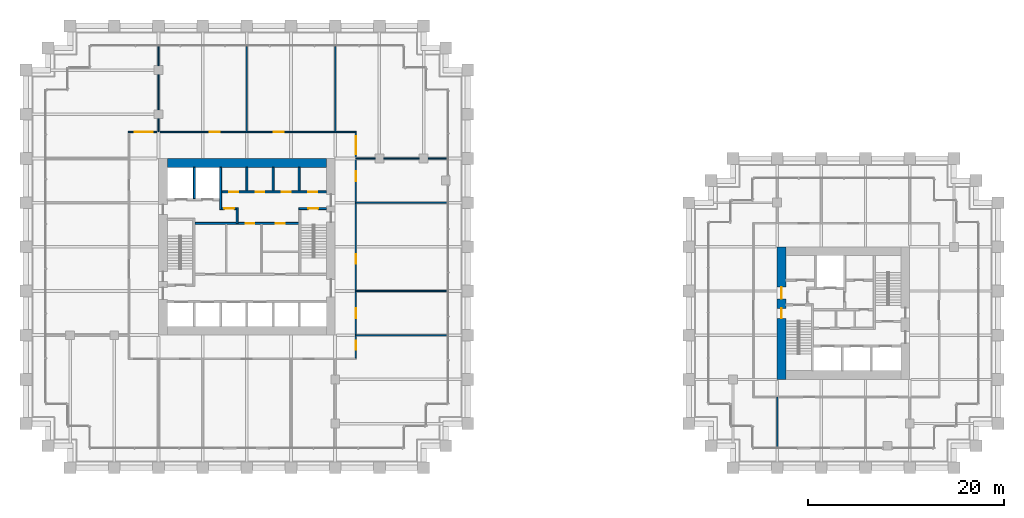
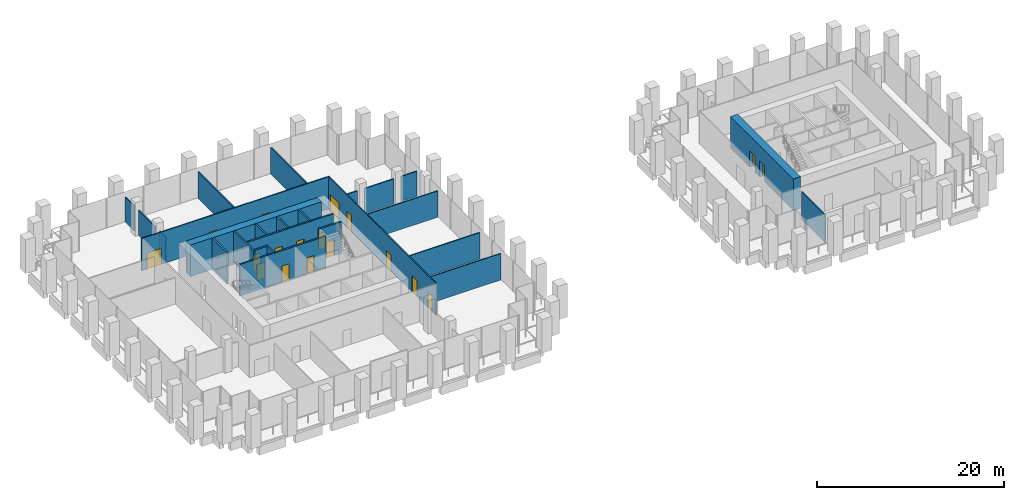
# One storey, part 31 of 36: 26 walls, 18 doors, 18 openings.
"""IFC4 building model written with IfcOpenShell, lengths in metres."""

from ifc_helpers import new_model, si_unit, direction, frame, frame_2d, origin, place, context, subcontext, project, spatial, rectangle, extrude, material, layer, layer_set, type_object, element, fill, save


model = new_model("IFC4")

# Units and contexts
model_context = context("Model", 3, precision=1e-05, world=origin(), true_north=direction((0.0, 1.0)))
body_context = subcontext(model_context, "Body", "Model", "MODEL_VIEW")
ifc_project = project(units=[si_unit("LENGTHUNIT", "METRE"), si_unit("AREAUNIT", "SQUARE_METRE"), si_unit("VOLUMEUNIT", "CUBIC_METRE"), si_unit("PLANEANGLEUNIT", "RADIAN"), si_unit("MASSUNIT", "GRAM", prefix="KILO")], contexts=[model_context])

# Site, building, storey
site_placement = place(None, origin())
site = spatial("IfcSite", under=ifc_project, at=site_placement, CompositionType="ELEMENT")
building_placement = place(site_placement, origin())
building = spatial("IfcBuilding", under=site, at=building_placement, Name="Altepetl Exchange Towers", CompositionType="ELEMENT")
storey_placement = place(building_placement, frame((0.0, 0.0, 29.800048828125)))
storey = spatial("IfcBuildingStorey", under=building, at=storey_placement, Name="L06", CompositionType="ELEMENT", Elevation=29.800048828125)

# Wall
ifc_material_1 = material(Name="Concrete C70/85", Category="concrete")
ifc_layer_1 = layer(ifc_material_1, 0.89990234375)
ifc_layer_set_1 = layer_set([ifc_layer_1], Name="Concrete C70/85")
wall_type_1 = type_object("IfcWallType", Name="Core wall 900 reinforced concrete", PredefinedType="SHEAR", material=ifc_layer_set_1)
wall_1_placement = place(storey_placement, frame((41.39990234375, 58.050048828125, 0.0)))
element("IfcWall", 1, at=wall_1_placement, inside=storey, type_object=wall_type_1, Name="wall:A:L06:K-coreN", PredefinedType="SHEAR", context=body_context, shape_type="SweptSolid", body=[
    extrude(rectangle(XDim=16.2001953125, YDim=0.89990234375, at=frame_2d((8.10009765625, 0.0))), origin(), (0.0, 0.0, 1.0), 4.125),
])

# Wall, openings, doors
wall_2_placement = place(storey_placement, frame((103.949951171875, 36.0, 0.0), z_axis=(0.0, 0.0, 1.0), x_axis=(0.0, 1.0, 0.0)))
wall_2 = element("IfcWall", 2, at=wall_2_placement, inside=storey, type_object=wall_type_1, Name="wall:B:L06:K-coreW", PredefinedType="SHEAR", context=body_context, shape_type="SweptSolid", body=[
    extrude(rectangle(XDim=13.5, YDim=0.89990234375, at=frame_2d((6.75, 0.0))), origin(), (0.0, 0.0, 1.0), 4.125),
])
opening_1_placement = place(wall_2_placement, frame((8.199951171875, 0.0, 0.0)))
opening_1 = element("IfcOpeningElement", 3, at=opening_1_placement, cuts=wall_2, Name="Opening L06.B60", PredefinedType="OPENING", context=body_context, shape_type="SweptSolid", body=[
    extrude(rectangle(XDim=1.199951171875, YDim=2.10009765625, at=frame_2d((0.60009765625, 1.050048828125))), frame((0.0, 0.4599609375, 0.0), z_axis=(0.0, -1.0, 0.0), x_axis=(1.0, 0.0, 0.0)), (0.0, 0.0, 1.0), 0.919921875),
])
opening_2_placement = place(wall_2_placement, frame((6.22509765625, 0.0, 0.0)))
opening_2 = element("IfcOpeningElement", 4, at=opening_2_placement, cuts=wall_2, Name="Opening L06.B63", PredefinedType="OPENING", context=body_context, shape_type="SweptSolid", body=[
    extrude(rectangle(XDim=1.0, YDim=2.10009765625, at=frame_2d((0.5, 1.050048828125))), frame((0.0, 0.4599609375, 0.0), z_axis=(0.0, -1.0, 0.0), x_axis=(1.0, 0.0, 0.0)), (0.0, 0.0, 1.0), 0.919921875),
])
ifc_material_2 = material(Name="Steel and timber fire door", Category="steel")
door_type_1 = type_object("IfcDoorType", Name="Fire door 1000 x 2100 stair and lobby", OperationType="SINGLE_SWING_LEFT", PredefinedType="DOOR", material=ifc_material_2)
door_1_placement = place(opening_2_placement, frame((1.0, 0.0, 0.0), x_axis=(-1.0, 0.0, 0.0)))
door_1 = element("IfcDoor", 5, at=door_1_placement, inside=storey, type_object=door_type_1, Name="door:B:L06:K-dS1x", OperationType="SINGLE_SWING_RIGHT", OverallHeight=2.10009765625, OverallWidth=1.0, PredefinedType="DOOR", context=body_context, shape_type="SweptSolid", body=[
    extrude(rectangle(XDim=1.0, YDim=2.10009765625, at=frame_2d((0.5, 1.050048828125))), frame((0.0, 0.02490234375, 0.0), z_axis=(0.0, -1.0, 0.0), x_axis=(1.0, 0.0, 0.0)), (0.0, 0.0, 1.0), 0.050048828125),
])
fill(opening_2, door_1)
door_type_2 = type_object("IfcDoorType", Name="Fire door 1200 x 2100 lobby entry", OperationType="SINGLE_SWING_LEFT", PredefinedType="DOOR", material=ifc_material_2)
door_2_placement = place(opening_1_placement, frame((1.199951171875, 0.0, 0.0), x_axis=(-1.0, 0.0, 0.0)))
door_2 = element("IfcDoor", 6, at=door_2_placement, inside=storey, type_object=door_type_2, Name="door:B:L06:K-dLNW", OperationType="SINGLE_SWING_RIGHT", OverallHeight=2.10009765625, OverallWidth=1.199951171875, PredefinedType="DOOR", context=body_context, shape_type="SweptSolid", body=[
    extrude(rectangle(XDim=1.199951171875, YDim=2.10009765625, at=frame_2d((0.60009765625, 1.050048828125))), frame((0.0, 0.02490234375, 0.0), z_axis=(0.0, -1.0, 0.0), x_axis=(1.0, 0.0, 0.0)), (0.0, 0.0, 1.0), 0.050048828125),
])
fill(opening_1, door_2)

# Wall
ifc_material_3 = material(Name="Concrete blockwork", Category="masonry")
ifc_layer_2 = layer(ifc_material_3, 0.199951171875)
ifc_layer_set_2 = layer_set([ifc_layer_2], Name="Concrete blockwork")
wall_type_2 = type_object("IfcWallType", Name="Lobby wall 200 blockwork", PredefinedType="PARTITIONING", material=ifc_layer_set_2)
wall_3_placement = place(storey_placement, frame((48.5, 51.89990234375, 0.0), z_axis=(0.0, 0.0, 1.0), x_axis=(0.0, 1.0, 0.0)))
element("IfcWall", 7, at=wall_3_placement, inside=storey, type_object=wall_type_2, Name="wall:A:L06:K-ffE", PredefinedType="PARTITIONING", context=body_context, shape_type="SweptSolid", body=[
    extrude(rectangle(XDim=1.60009765625, YDim=0.199951171875, at=frame_2d((0.800048828125, 0.0))), origin(), (0.0, 0.0, 1.0), 4.125),
])

# Wall, opening, door
wall_4_placement = place(storey_placement, frame((46.933349609375, 53.39990234375, 0.0)))
wall_4 = element("IfcWall", 8, at=wall_4_placement, inside=storey, type_object=wall_type_2, Name="wall:A:L06:K-ffN", PredefinedType="PARTITIONING", context=body_context, shape_type="SweptSolid", body=[
    extrude(rectangle(XDim=1.466552734375, YDim=0.199951171875, at=frame_2d((0.7333984375, 0.0))), origin(), (0.0, 0.0, 1.0), 4.125),
])
opening_3_placement = place(wall_4_placement, frame((0.2666015625, 0.0, 0.0)))
opening_3 = element("IfcOpeningElement", 9, at=opening_3_placement, cuts=wall_4, Name="Opening L06.A67", PredefinedType="OPENING", context=body_context, shape_type="SweptSolid", body=[
    extrude(rectangle(XDim=1.0, YDim=2.10009765625, at=frame_2d((0.5, 1.050048828125))), frame((0.0, 0.10986328125, 0.0), z_axis=(0.0, -1.0, 0.0), x_axis=(1.0, 0.0, 0.0)), (0.0, 0.0, 1.0), 0.219970703125),
])
door_3_placement = place(opening_3_placement, frame((1.0, 0.0, 0.0), x_axis=(-1.0, 0.0, 0.0)))
door_3 = element("IfcDoor", 10, at=door_3_placement, inside=storey, type_object=door_type_1, Name="door:A:L06:K-dffN", OperationType="SINGLE_SWING_LEFT", OverallHeight=2.10009765625, OverallWidth=1.0, PredefinedType="DOOR", context=body_context, shape_type="SweptSolid", body=[
    extrude(rectangle(XDim=1.0, YDim=2.10009765625, at=frame_2d((0.5, 1.050048828125))), frame((0.0, 0.02490234375, 0.0), z_axis=(0.0, -1.0, 0.0), x_axis=(1.0, 0.0, 0.0)), (0.0, 0.0, 1.0), 0.050048828125),
])
fill(opening_3, door_3)

# Wall, openings, doors
wall_5_placement = place(storey_placement, frame((44.199951171875, 51.89990234375, 0.0)))
wall_5 = element("IfcWall", 11, at=wall_5_placement, inside=storey, type_object=wall_type_2, Name="wall:A:L06:K-zoneN", PredefinedType="PARTITIONING", context=body_context, shape_type="SweptSolid", body=[
    extrude(rectangle(XDim=10.60009765625, YDim=0.199951171875, at=frame_2d((5.300048828125, 0.0))), origin(), (0.0, 0.0, 1.0), 4.125),
])
opening_4_placement = place(wall_5_placement, frame((5.175048828125, 0.0, 0.0)))
opening_4 = element("IfcOpeningElement", 12, at=opening_4_placement, cuts=wall_5, Name="Opening L06.A74", PredefinedType="OPENING", context=body_context, shape_type="SweptSolid", body=[
    extrude(rectangle(XDim=0.89990234375, YDim=2.10009765625, at=frame_2d((0.449951171875, 1.050048828125))), frame((0.0, 0.10986328125, 0.0), z_axis=(0.0, -1.0, 0.0), x_axis=(1.0, 0.0, 0.0)), (0.0, 0.0, 1.0), 0.219970703125),
])
opening_5_placement = place(wall_5_placement, frame((8.25, 0.0, 0.0)))
opening_5 = element("IfcOpeningElement", 13, at=opening_5_placement, cuts=wall_5, Name="Opening L06.A76", PredefinedType="OPENING", context=body_context, shape_type="SweptSolid", body=[
    extrude(rectangle(XDim=0.89990234375, YDim=2.10009765625, at=frame_2d((0.449951171875, 1.050048828125))), frame((0.0, 0.10986328125, 0.0), z_axis=(0.0, -1.0, 0.0), x_axis=(1.0, 0.0, 0.0)), (0.0, 0.0, 1.0), 0.219970703125),
])
door_type_3 = type_object("IfcDoorType", Name="Fire door 900 x 2100 service room", OperationType="SINGLE_SWING_LEFT", PredefinedType="DOOR", material=ifc_material_2)
door_4_placement = place(opening_4_placement, frame((0.89990234375, 0.0, 0.0), x_axis=(-1.0, 0.0, 0.0)))
door_4 = element("IfcDoor", 14, at=door_4_placement, inside=storey, type_object=door_type_3, Name="door:A:L06:K-dz2", OperationType="SINGLE_SWING_LEFT", OverallHeight=2.10009765625, OverallWidth=0.89990234375, PredefinedType="DOOR", context=body_context, shape_type="SweptSolid", body=[
    extrude(rectangle(XDim=0.89990234375, YDim=2.10009765625, at=frame_2d((0.449951171875, 1.050048828125))), frame((0.0, 0.02490234375, 0.0), z_axis=(0.0, -1.0, 0.0), x_axis=(1.0, 0.0, 0.0)), (0.0, 0.0, 1.0), 0.050048828125),
])
fill(opening_4, door_4)
door_5_placement = place(opening_5_placement, frame((0.89990234375, 0.0, 0.0), x_axis=(-1.0, 0.0, 0.0)))
door_5 = element("IfcDoor", 15, at=door_5_placement, inside=storey, type_object=door_type_3, Name="door:A:L06:K-dz4", OperationType="SINGLE_SWING_LEFT", OverallHeight=2.10009765625, OverallWidth=0.89990234375, PredefinedType="DOOR", context=body_context, shape_type="SweptSolid", body=[
    extrude(rectangle(XDim=0.89990234375, YDim=2.10009765625, at=frame_2d((0.449951171875, 1.050048828125))), frame((0.0, 0.02490234375, 0.0), z_axis=(0.0, -1.0, 0.0), x_axis=(1.0, 0.0, 0.0)), (0.0, 0.0, 1.0), 0.050048828125),
])
fill(opening_5, door_5)

# Walls
ifc_material_4 = material(Name="Gypsum board on steel studs", Category="steel")
ifc_layer_3 = layer(ifc_material_4, 0.125)
ifc_layer_set_3 = layer_set([ifc_layer_3], Name="Gypsum board on steel studs")
wall_type_3 = type_object("IfcWallType", Name="Partition 125 gypsum board on steel studs", PredefinedType="PARTITIONING", material=ifc_layer_set_3)
for number, where, name in (
    (16, (60.60009765625, 40.5, 0.0), "wall:A:L06:P05"),
    (17, (60.60009765625, 45.0, 0.0), "wall:A:L06:P06"),
    (18, (60.60009765625, 54.0, 0.0), "wall:A:L06:P08"),
):
    element("IfcWall", number, at=place(storey_placement, frame(where)), inside=storey, type_object=wall_type_3, Name=name, PredefinedType="PARTITIONING", context=body_context, shape_type="SweptSolid", body=[
        extrude(rectangle(XDim=9.2998046875, YDim=0.125, at=frame_2d((4.64990234375, 0.0))), origin(), (0.0, 0.0, 1.0), 3.467041015625),
    ])
wall_6_placement = place(storey_placement, frame((60.60009765625, 58.5, 0.0)))
element("IfcWall", 19, at=wall_6_placement, inside=storey, type_object=wall_type_3, Name="wall:A:L06:P10", PredefinedType="PARTITIONING", context=body_context, shape_type="SweptSolid", body=[
    extrude(rectangle(XDim=1.949951171875, YDim=0.125, at=frame_2d((0.97509765625, 0.0))), origin(), (0.0, 0.0, 1.0), 3.302001953125),
])
wall_7_placement = place(storey_placement, frame((63.449951171875, 58.5, 0.0)))
element("IfcWall", 20, at=wall_7_placement, inside=storey, type_object=wall_type_3, Name="wall:A:L06:P11", PredefinedType="PARTITIONING", context=body_context, shape_type="SweptSolid", body=[
    extrude(rectangle(XDim=3.60009765625, YDim=0.125, at=frame_2d((1.800048828125, 0.0))), origin(), (0.0, 0.0, 1.0), 3.302001953125),
])
wall_8_placement = place(storey_placement, frame((67.949951171875, 58.5, 0.0)))
element("IfcWall", 21, at=wall_8_placement, inside=storey, type_object=wall_type_3, Name="wall:A:L06:P12", PredefinedType="PARTITIONING", context=body_context, shape_type="SweptSolid", body=[
    extrude(rectangle(XDim=1.949951171875, YDim=0.125, at=frame_2d((0.97509765625, 0.0))), origin(), (0.0, 0.0, 1.0), 3.302001953125),
])

# Wall, openings, doors
wall_9_placement = place(storey_placement, frame((37.4375, 61.199951171875, 0.0)))
wall_9 = element("IfcWall", 22, at=wall_9_placement, inside=storey, type_object=wall_type_3, Name="wall:A:L06:P13", PredefinedType="PARTITIONING", context=body_context, shape_type="SweptSolid", body=[
    extrude(rectangle(XDim=23.22509765625, YDim=0.125, at=frame_2d((11.612548828125, 0.0))), origin(), (0.0, 0.0, 1.0), 4.224853515625),
])
opening_6_placement = place(wall_9_placement, frame((14.820556640625, 0.0, 0.0)))
opening_6 = element("IfcOpeningElement", 23, at=opening_6_placement, cuts=wall_9, Name="Opening L06.A11", PredefinedType="OPENING", context=body_context, shape_type="SweptSolid", body=[
    extrude(rectangle(XDim=1.0, YDim=2.10009765625, at=frame_2d((0.5, 1.050048828125))), frame((0.0, 0.072509765625, 0.0), z_axis=(0.0, -1.0, 0.0), x_axis=(1.0, 0.0, 0.0)), (0.0, 0.0, 1.0), 0.14501953125),
])
opening_7_placement = place(wall_9_placement, frame((8.304443359375, 0.0, 0.0)))
opening_7 = element("IfcOpeningElement", 24, at=opening_7_placement, cuts=wall_9, Name="Opening L06.A12", PredefinedType="OPENING", context=body_context, shape_type="SweptSolid", body=[
    extrude(rectangle(XDim=1.0, YDim=2.10009765625, at=frame_2d((0.5, 1.050048828125))), frame((0.0, 0.072509765625, 0.0), z_axis=(0.0, -1.0, 0.0), x_axis=(1.0, 0.0, 0.0)), (0.0, 0.0, 1.0), 0.14501953125),
])
opening_8_placement = place(wall_9_placement, frame((0.66259765625, 0.0, 0.0)))
opening_8 = element("IfcOpeningElement", 25, at=opening_8_placement, cuts=wall_9, Name="Opening L06.A13", PredefinedType="OPENING", context=body_context, shape_type="SweptSolid", body=[
    extrude(rectangle(XDim=1.800048828125, YDim=2.10009765625, at=frame_2d((0.89990234375, 1.050048828125))), frame((0.0, 0.072509765625, 0.0), z_axis=(0.0, -1.0, 0.0), x_axis=(1.0, 0.0, 0.0)), (0.0, 0.0, 1.0), 0.14501953125),
])
door_type_4 = type_object("IfcDoorType", Name="Fire door 1000 x 2100 single leaf", OperationType="SINGLE_SWING_LEFT", PredefinedType="DOOR", material=ifc_material_2)
door_6_placement = place(opening_6_placement, origin())
door_6 = element("IfcDoor", 26, at=door_6_placement, inside=storey, type_object=door_type_4, Name="door:A:L06:11", OperationType="SINGLE_SWING_LEFT", OverallHeight=2.10009765625, OverallWidth=1.0, PredefinedType="DOOR", context=body_context, shape_type="SweptSolid", body=[
    extrude(rectangle(XDim=1.0, YDim=2.10009765625, at=frame_2d((0.5, 1.050048828125))), frame((0.0, 0.02490234375, 0.0), z_axis=(0.0, -1.0, 0.0), x_axis=(1.0, 0.0, 0.0)), (0.0, 0.0, 1.0), 0.050048828125),
])
fill(opening_6, door_6)
door_7_placement = place(opening_7_placement, origin())
door_7 = element("IfcDoor", 27, at=door_7_placement, inside=storey, type_object=door_type_4, Name="door:A:L06:12", OperationType="SINGLE_SWING_RIGHT", OverallHeight=2.10009765625, OverallWidth=1.0, PredefinedType="DOOR", context=body_context, shape_type="SweptSolid", body=[
    extrude(rectangle(XDim=1.0, YDim=2.10009765625, at=frame_2d((0.5, 1.050048828125))), frame((0.0, 0.02490234375, 0.0), z_axis=(0.0, -1.0, 0.0), x_axis=(1.0, 0.0, 0.0)), (0.0, 0.0, 1.0), 0.050048828125),
])
fill(opening_7, door_7)
door_type_5 = type_object("IfcDoorType", Name="Fire door 1800 x 2100 double leaf", OperationType="DOUBLE_DOOR_SINGLE_SWING", PredefinedType="DOOR", material=ifc_material_2)
door_8_placement = place(opening_8_placement, origin())
door_8 = element("IfcDoor", 28, at=door_8_placement, inside=storey, type_object=door_type_5, Name="door:A:L06:13", OperationType="DOUBLE_DOOR_SINGLE_SWING", OverallHeight=2.10009765625, OverallWidth=1.800048828125, PredefinedType="DOOR", context=body_context, shape_type="SweptSolid", body=[
    extrude(rectangle(XDim=1.800048828125, YDim=2.10009765625, at=frame_2d((0.89990234375, 1.050048828125))), frame((0.0, 0.02490234375, 0.0), z_axis=(0.0, -1.0, 0.0), x_axis=(1.0, 0.0, 0.0)), (0.0, 0.0, 1.0), 0.050048828125),
])
fill(opening_8, door_8)

# Walls
wall_10_placement = place(storey_placement, frame((40.5, 61.199951171875, 0.0), z_axis=(0.0, 0.0, 1.0), x_axis=(0.0, 1.0, 0.0)))
element("IfcWall", 29, at=wall_10_placement, inside=storey, type_object=wall_type_3, Name="wall:A:L06:P16", PredefinedType="PARTITIONING", context=body_context, shape_type="SweptSolid", body=[
    extrude(rectangle(XDim=1.35009765625, YDim=0.125, at=frame_2d((0.675048828125, 0.0))), origin(), (0.0, 0.0, 1.0), 3.302001953125),
])
wall_11_placement = place(storey_placement, frame((40.5, 63.449951171875, 0.0), z_axis=(0.0, 0.0, 1.0), x_axis=(0.0, 1.0, 0.0)))
element("IfcWall", 30, at=wall_11_placement, inside=storey, type_object=wall_type_3, Name="wall:A:L06:P17", PredefinedType="PARTITIONING", context=body_context, shape_type="SweptSolid", body=[
    extrude(rectangle(XDim=3.60009765625, YDim=0.125, at=frame_2d((1.800048828125, 0.0))), origin(), (0.0, 0.0, 1.0), 3.302001953125),
])
wall_12_placement = place(storey_placement, frame((40.5, 67.949951171875, 0.0), z_axis=(0.0, 0.0, 1.0), x_axis=(0.0, 1.0, 0.0)))
element("IfcWall", 31, at=wall_12_placement, inside=storey, type_object=wall_type_3, Name="wall:A:L06:P18", PredefinedType="PARTITIONING", context=body_context, shape_type="SweptSolid", body=[
    extrude(rectangle(XDim=1.949951171875, YDim=0.125, at=frame_2d((0.97509765625, 0.0))), origin(), (0.0, 0.0, 1.0), 3.302001953125),
])
for number, where, z_axis, x_axis, name in (
    (32, (49.5, 61.199951171875, 0.0), (0.0, 0.0, 1.0), (0.0, 1.0, 0.0), "wall:A:L06:P20"),
    (33, (58.5, 61.199951171875, 0.0), (0.0, 0.0, 1.0), (0.0, 1.0, 0.0), "wall:A:L06:P25"),
):
    element("IfcWall", number, at=place(storey_placement, frame(where, z_axis=z_axis, x_axis=x_axis)), inside=storey, type_object=wall_type_3, Name=name, PredefinedType="PARTITIONING", context=body_context, shape_type="SweptSolid", body=[
        extrude(rectangle(XDim=8.699951171875, YDim=0.125, at=frame_2d((4.35009765625, 0.0))), origin(), (0.0, 0.0, 1.0), 3.467041015625),
    ])

# Wall, openings, doors
wall_13_placement = place(storey_placement, frame((60.60009765625, 38.16259765625, 0.0), z_axis=(0.0, 0.0, 1.0), x_axis=(0.0, 1.0, 0.0)))
wall_13 = element("IfcWall", 34, at=wall_13_placement, inside=storey, type_object=wall_type_3, Name="wall:A:L06:P26", PredefinedType="PARTITIONING", context=body_context, shape_type="SweptSolid", body=[
    extrude(rectangle(XDim=22.974853515625, YDim=0.125, at=frame_2d((11.4873046875, 0.0))), origin(), (0.0, 0.0, 1.0), 4.224853515625),
])
opening_9_placement = place(wall_13_placement, frame((0.862548828125, 0.0, 0.0)))
opening_9 = element("IfcOpeningElement", 35, at=opening_9_placement, cuts=wall_13, Name="Opening L06.A06", PredefinedType="OPENING", context=body_context, shape_type="SweptSolid", body=[
    extrude(rectangle(XDim=0.89990234375, YDim=2.10009765625, at=frame_2d((0.449951171875, 1.050048828125))), frame((0.0, 0.072509765625, 0.0), z_axis=(0.0, -1.0, 0.0), x_axis=(1.0, 0.0, 0.0)), (0.0, 0.0, 1.0), 0.14501953125),
])
opening_10_placement = place(wall_13_placement, frame((4.08740234375, 0.0, 0.0)))
opening_10 = element("IfcOpeningElement", 36, at=opening_10_placement, cuts=wall_13, Name="Opening L06.A07", PredefinedType="OPENING", context=body_context, shape_type="SweptSolid", body=[
    extrude(rectangle(XDim=1.0, YDim=2.10009765625, at=frame_2d((0.5, 1.050048828125))), frame((0.0, 0.072509765625, 0.0), z_axis=(0.0, -1.0, 0.0), x_axis=(1.0, 0.0, 0.0)), (0.0, 0.0, 1.0), 0.14501953125),
])
opening_11_placement = place(wall_13_placement, frame((9.595458984375, 0.0, 0.0)))
opening_11 = element("IfcOpeningElement", 37, at=opening_11_placement, cuts=wall_13, Name="Opening L06.A08", PredefinedType="OPENING", context=body_context, shape_type="SweptSolid", body=[
    extrude(rectangle(XDim=1.0, YDim=2.10009765625, at=frame_2d((0.5, 1.050048828125))), frame((0.0, 0.072509765625, 0.0), z_axis=(0.0, -1.0, 0.0), x_axis=(1.0, 0.0, 0.0)), (0.0, 0.0, 1.0), 0.14501953125),
])
opening_12_placement = place(wall_13_placement, frame((18.04248046875, 0.0, 0.0)))
opening_12 = element("IfcOpeningElement", 38, at=opening_12_placement, cuts=wall_13, Name="Opening L06.A09", PredefinedType="OPENING", context=body_context, shape_type="SweptSolid", body=[
    extrude(rectangle(XDim=1.0, YDim=2.10009765625, at=frame_2d((0.5, 1.050048828125))), frame((0.0, 0.072509765625, 0.0), z_axis=(0.0, -1.0, 0.0), x_axis=(1.0, 0.0, 0.0)), (0.0, 0.0, 1.0), 0.14501953125),
])
opening_13_placement = place(wall_13_placement, frame((20.78759765625, 0.0, 0.0)))
opening_13 = element("IfcOpeningElement", 39, at=opening_13_placement, cuts=wall_13, Name="Opening L06.A10", PredefinedType="OPENING", context=body_context, shape_type="SweptSolid", body=[
    extrude(rectangle(XDim=1.800048828125, YDim=2.10009765625, at=frame_2d((0.89990234375, 1.050048828125))), frame((0.0, 0.072509765625, 0.0), z_axis=(0.0, -1.0, 0.0), x_axis=(1.0, 0.0, 0.0)), (0.0, 0.0, 1.0), 0.14501953125),
])
door_9_placement = place(opening_10_placement, frame((1.0, 0.0, 0.0), x_axis=(-1.0, 0.0, 0.0)))
door_9 = element("IfcDoor", 40, at=door_9_placement, inside=storey, type_object=door_type_4, Name="door:A:L06:07", OperationType="SINGLE_SWING_LEFT", OverallHeight=2.10009765625, OverallWidth=1.0, PredefinedType="DOOR", context=body_context, shape_type="SweptSolid", body=[
    extrude(rectangle(XDim=1.0, YDim=2.10009765625, at=frame_2d((0.5, 1.050048828125))), frame((0.0, 0.02490234375, 0.0), z_axis=(0.0, -1.0, 0.0), x_axis=(1.0, 0.0, 0.0)), (0.0, 0.0, 1.0), 0.050048828125),
])
fill(opening_10, door_9)
door_10_placement = place(opening_11_placement, frame((1.0, 0.0, 0.0), x_axis=(-1.0, 0.0, 0.0)))
door_10 = element("IfcDoor", 41, at=door_10_placement, inside=storey, type_object=door_type_4, Name="door:A:L06:08", OperationType="SINGLE_SWING_RIGHT", OverallHeight=2.10009765625, OverallWidth=1.0, PredefinedType="DOOR", context=body_context, shape_type="SweptSolid", body=[
    extrude(rectangle(XDim=1.0, YDim=2.10009765625, at=frame_2d((0.5, 1.050048828125))), frame((0.0, 0.02490234375, 0.0), z_axis=(0.0, -1.0, 0.0), x_axis=(1.0, 0.0, 0.0)), (0.0, 0.0, 1.0), 0.050048828125),
])
fill(opening_11, door_10)
door_11_placement = place(opening_12_placement, frame((1.0, 0.0, 0.0), x_axis=(-1.0, 0.0, 0.0)))
door_11 = element("IfcDoor", 42, at=door_11_placement, inside=storey, type_object=door_type_4, Name="door:A:L06:09", OperationType="SINGLE_SWING_LEFT", OverallHeight=2.10009765625, OverallWidth=1.0, PredefinedType="DOOR", context=body_context, shape_type="SweptSolid", body=[
    extrude(rectangle(XDim=1.0, YDim=2.10009765625, at=frame_2d((0.5, 1.050048828125))), frame((0.0, 0.02490234375, 0.0), z_axis=(0.0, -1.0, 0.0), x_axis=(1.0, 0.0, 0.0)), (0.0, 0.0, 1.0), 0.050048828125),
])
fill(opening_12, door_11)
door_12_placement = place(opening_13_placement, frame((1.800048828125, 0.0, 0.0), x_axis=(-1.0, 0.0, 0.0)))
door_12 = element("IfcDoor", 43, at=door_12_placement, inside=storey, type_object=door_type_5, Name="door:A:L06:10", OperationType="DOUBLE_DOOR_SINGLE_SWING", OverallHeight=2.10009765625, OverallWidth=1.800048828125, PredefinedType="DOOR", context=body_context, shape_type="SweptSolid", body=[
    extrude(rectangle(XDim=1.800048828125, YDim=2.10009765625, at=frame_2d((0.89990234375, 1.050048828125))), frame((0.0, 0.02490234375, 0.0), z_axis=(0.0, -1.0, 0.0), x_axis=(1.0, 0.0, 0.0)), (0.0, 0.0, 1.0), 0.050048828125),
])
fill(opening_13, door_12)
door_type_6 = type_object("IfcDoorType", Name="Fire door 900 x 2100 single leaf", OperationType="SINGLE_SWING_LEFT", PredefinedType="DOOR", material=ifc_material_2)
door_13_placement = place(opening_9_placement, frame((0.89990234375, 0.0, 0.0), x_axis=(-1.0, 0.0, 0.0)))
door_13 = element("IfcDoor", 44, at=door_13_placement, inside=storey, type_object=door_type_6, Name="door:A:L06:06", OperationType="SINGLE_SWING_RIGHT", OverallHeight=2.10009765625, OverallWidth=0.89990234375, PredefinedType="DOOR", context=body_context, shape_type="SweptSolid", body=[
    extrude(rectangle(XDim=0.89990234375, YDim=2.10009765625, at=frame_2d((0.449951171875, 1.050048828125))), frame((0.0, 0.02490234375, 0.0), z_axis=(0.0, -1.0, 0.0), x_axis=(1.0, 0.0, 0.0)), (0.0, 0.0, 1.0), 0.050048828125),
])
fill(opening_9, door_13)

# Walls
wall_14_placement = place(storey_placement, frame((103.5, 29.10009765625, 0.0), z_axis=(0.0, 0.0, 1.0), x_axis=(0.0, 1.0, 0.0)))
element("IfcWall", 45, at=wall_14_placement, inside=storey, type_object=wall_type_3, Name="wall:B:L06:P04", PredefinedType="PARTITIONING", context=body_context, shape_type="SweptSolid", body=[
    extrude(rectangle(XDim=5.099853515625, YDim=0.125, at=frame_2d((2.5498046875, 0.0))), origin(), (0.0, 0.0, 1.0), 3.613037109375),
])
ifc_material_5 = material(Name="Concrete C40/50", Category="concrete")
ifc_layer_4 = layer(ifc_material_5, 0.199951171875)
ifc_layer_set_4 = layer_set([ifc_layer_4], Name="Concrete C40/50")
wall_type_4 = type_object("IfcWallType", Name="Shaft wall 200 reinforced concrete", PredefinedType="SHEAR", material=ifc_layer_set_4)
wall_15_placement = place(storey_placement, frame((44.166748046875, 57.60009765625, 0.0), z_axis=(0.0, 0.0, 1.0), x_axis=(0.0, -1.0, 0.0)))
element("IfcWall", 46, at=wall_15_placement, inside=storey, type_object=wall_type_4, Name="wall:A:L06:K-divN1", PredefinedType="SHEAR", context=body_context, shape_type="SweptSolid", body=[
    extrude(rectangle(XDim=3.2001953125, YDim=0.199951171875, at=frame_2d((1.60009765625, 0.0))), origin(), (0.0, 0.0, 1.0), 4.125),
])
wall_16_placement = place(storey_placement, frame((46.833251953125, 57.60009765625, 0.0), z_axis=(0.0, 0.0, 1.0), x_axis=(0.0, -1.0, 0.0)))
element("IfcWall", 47, at=wall_16_placement, inside=storey, type_object=wall_type_4, Name="wall:A:L06:K-divN2", PredefinedType="SHEAR", context=body_context, shape_type="SweptSolid", body=[
    extrude(rectangle(XDim=4.300048828125, YDim=0.199951171875, at=frame_2d((2.14990234375, 0.0))), origin(), (0.0, 0.0, 1.0), 4.125),
])
for number, where, z_axis, x_axis, name in (
    (48, (49.5, 57.60009765625, 0.0), (0.0, 0.0, 1.0), (0.0, -1.0, 0.0), "wall:A:L06:K-divN3"),
    (49, (52.166748046875, 57.60009765625, 0.0), (0.0, 0.0, 1.0), (0.0, -1.0, 0.0), "wall:A:L06:K-divN4"),
    (50, (54.833251953125, 57.60009765625, 0.0), (0.0, 0.0, 1.0), (0.0, -1.0, 0.0), "wall:A:L06:K-divN5"),
):
    element("IfcWall", number, at=place(storey_placement, frame(where, z_axis=z_axis, x_axis=x_axis)), inside=storey, type_object=wall_type_4, Name=name, PredefinedType="SHEAR", context=body_context, shape_type="SweptSolid", body=[
        extrude(rectangle(XDim=2.400146484375, YDim=0.199951171875, at=frame_2d((1.2001953125, 0.0))), origin(), (0.0, 0.0, 1.0), 4.125),
    ])

# Wall, openings, doors
wall_17_placement = place(storey_placement, frame((46.933349609375, 55.10009765625, 0.0)))
wall_17 = element("IfcWall", 51, at=wall_17_placement, inside=storey, type_object=wall_type_4, Name="wall:A:L06:K-frontNb", PredefinedType="SHEAR", context=body_context, shape_type="SweptSolid", body=[
    extrude(rectangle(XDim=10.666748046875, YDim=0.199951171875, at=frame_2d((5.33349609375, 0.0))), origin(), (0.0, 0.0, 1.0), 4.125),
])
opening_14_placement = place(wall_17_placement, frame((8.83349609375, 0.0, 0.0)))
opening_14 = element("IfcOpeningElement", 52, at=opening_14_placement, cuts=wall_17, Name="Opening L06.A69", PredefinedType="OPENING", context=body_context, shape_type="SweptSolid", body=[
    extrude(rectangle(XDim=0.89990234375, YDim=2.10009765625, at=frame_2d((0.449951171875, 1.050048828125))), frame((0.0, 0.10986328125, 0.0), z_axis=(0.0, -1.0, 0.0), x_axis=(1.0, 0.0, 0.0)), (0.0, 0.0, 1.0), 0.219970703125),
])
opening_15_placement = place(wall_17_placement, frame((0.783447265625, 0.0, 0.0)))
opening_15 = element("IfcOpeningElement", 53, at=opening_15_placement, cuts=wall_17, Name="Opening L06.A70", PredefinedType="OPENING", context=body_context, shape_type="SweptSolid", body=[
    extrude(rectangle(XDim=0.89990234375, YDim=2.10009765625, at=frame_2d((0.449951171875, 1.050048828125))), frame((0.0, 0.10986328125, 0.0), z_axis=(0.0, -1.0, 0.0), x_axis=(1.0, 0.0, 0.0)), (0.0, 0.0, 1.0), 0.219970703125),
])
opening_16_placement = place(wall_17_placement, frame((3.449951171875, 0.0, 0.0)))
opening_16 = element("IfcOpeningElement", 54, at=opening_16_placement, cuts=wall_17, Name="Opening L06.A71", PredefinedType="OPENING", context=body_context, shape_type="SweptSolid", body=[
    extrude(rectangle(XDim=0.89990234375, YDim=2.10009765625, at=frame_2d((0.449951171875, 1.050048828125))), frame((0.0, 0.10986328125, 0.0), z_axis=(0.0, -1.0, 0.0), x_axis=(1.0, 0.0, 0.0)), (0.0, 0.0, 1.0), 0.219970703125),
])
opening_17_placement = place(wall_17_placement, frame((6.11669921875, 0.0, 0.0)))
opening_17 = element("IfcOpeningElement", 55, at=opening_17_placement, cuts=wall_17, Name="Opening L06.A72", PredefinedType="OPENING", context=body_context, shape_type="SweptSolid", body=[
    extrude(rectangle(XDim=0.89990234375, YDim=2.10009765625, at=frame_2d((0.449951171875, 1.050048828125))), frame((0.0, 0.10986328125, 0.0), z_axis=(0.0, -1.0, 0.0), x_axis=(1.0, 0.0, 0.0)), (0.0, 0.0, 1.0), 0.219970703125),
])
door_14_placement = place(opening_14_placement, origin())
door_14 = element("IfcDoor", 56, at=door_14_placement, inside=storey, type_object=door_type_3, Name="door:A:L06:K-driser", OperationType="SINGLE_SWING_RIGHT", OverallHeight=2.10009765625, OverallWidth=0.89990234375, PredefinedType="DOOR", context=body_context, shape_type="SweptSolid", body=[
    extrude(rectangle(XDim=0.89990234375, YDim=2.10009765625, at=frame_2d((0.449951171875, 1.050048828125))), frame((0.0, 0.02490234375, 0.0), z_axis=(0.0, -1.0, 0.0), x_axis=(1.0, 0.0, 0.0)), (0.0, 0.0, 1.0), 0.050048828125),
])
fill(opening_14, door_14)
door_15_placement = place(opening_15_placement, origin())
door_15 = element("IfcDoor", 57, at=door_15_placement, inside=storey, type_object=door_type_3, Name="door:A:L06:K-dslotN2", OperationType="SINGLE_SWING_RIGHT", OverallHeight=2.10009765625, OverallWidth=0.89990234375, PredefinedType="DOOR", context=body_context, shape_type="SweptSolid", body=[
    extrude(rectangle(XDim=0.89990234375, YDim=2.10009765625, at=frame_2d((0.449951171875, 1.050048828125))), frame((0.0, 0.02490234375, 0.0), z_axis=(0.0, -1.0, 0.0), x_axis=(1.0, 0.0, 0.0)), (0.0, 0.0, 1.0), 0.050048828125),
])
fill(opening_15, door_15)
door_16_placement = place(opening_16_placement, origin())
door_16 = element("IfcDoor", 58, at=door_16_placement, inside=storey, type_object=door_type_3, Name="door:A:L06:K-dslotN3", OperationType="SINGLE_SWING_RIGHT", OverallHeight=2.10009765625, OverallWidth=0.89990234375, PredefinedType="DOOR", context=body_context, shape_type="SweptSolid", body=[
    extrude(rectangle(XDim=0.89990234375, YDim=2.10009765625, at=frame_2d((0.449951171875, 1.050048828125))), frame((0.0, 0.02490234375, 0.0), z_axis=(0.0, -1.0, 0.0), x_axis=(1.0, 0.0, 0.0)), (0.0, 0.0, 1.0), 0.050048828125),
])
fill(opening_16, door_16)
door_17_placement = place(opening_17_placement, origin())
door_17 = element("IfcDoor", 59, at=door_17_placement, inside=storey, type_object=door_type_3, Name="door:A:L06:K-dslotN4", OperationType="SINGLE_SWING_RIGHT", OverallHeight=2.10009765625, OverallWidth=0.89990234375, PredefinedType="DOOR", context=body_context, shape_type="SweptSolid", body=[
    extrude(rectangle(XDim=0.89990234375, YDim=2.10009765625, at=frame_2d((0.449951171875, 1.050048828125))), frame((0.0, 0.02490234375, 0.0), z_axis=(0.0, -1.0, 0.0), x_axis=(1.0, 0.0, 0.0)), (0.0, 0.0, 1.0), 0.050048828125),
])
fill(opening_17, door_17)

# Wall, opening, door
ifc_layer_5 = layer(ifc_material_5, 0.199951171875)
ifc_layer_set_5 = layer_set([ifc_layer_5], Name="Concrete C40/50")
wall_type_5 = type_object("IfcWallType", Name="Stair wall 200 reinforced concrete", PredefinedType="SHEAR", material=ifc_layer_set_5)
wall_18_placement = place(storey_placement, frame((54.800048828125, 53.39990234375, 0.0)))
wall_18 = element("IfcWall", 60, at=wall_18_placement, inside=storey, type_object=wall_type_5, Name="wall:A:L06:K-stS2N", PredefinedType="SHEAR", context=body_context, shape_type="SweptSolid", body=[
    extrude(rectangle(XDim=2.800048828125, YDim=0.199951171875, at=frame_2d((1.39990234375, 0.0))), origin(), (0.0, 0.0, 1.0), 4.125),
])
opening_18_placement = place(wall_18_placement, frame((0.949951171875, 0.0, 0.0)))
opening_18 = element("IfcOpeningElement", 61, at=opening_18_placement, cuts=wall_18, Name="Opening L06.A65", PredefinedType="OPENING", context=body_context, shape_type="SweptSolid", body=[
    extrude(rectangle(XDim=1.0, YDim=2.10009765625, at=frame_2d((0.5, 1.050048828125))), frame((0.0, 0.10986328125, 0.0), z_axis=(0.0, -1.0, 0.0), x_axis=(1.0, 0.0, 0.0)), (0.0, 0.0, 1.0), 0.219970703125),
])
door_18_placement = place(opening_18_placement, frame((1.0, 0.0, 0.0), x_axis=(-1.0, 0.0, 0.0)))
door_18 = element("IfcDoor", 62, at=door_18_placement, inside=storey, type_object=door_type_1, Name="door:A:L06:K-dS2in", OperationType="SINGLE_SWING_LEFT", OverallHeight=2.10009765625, OverallWidth=1.0, PredefinedType="DOOR", context=body_context, shape_type="SweptSolid", body=[
    extrude(rectangle(XDim=1.0, YDim=2.10009765625, at=frame_2d((0.5, 1.050048828125))), frame((0.0, 0.02490234375, 0.0), z_axis=(0.0, -1.0, 0.0), x_axis=(1.0, 0.0, 0.0)), (0.0, 0.0, 1.0), 0.050048828125),
])
fill(opening_18, door_18)

save(model, "model.ifc")
